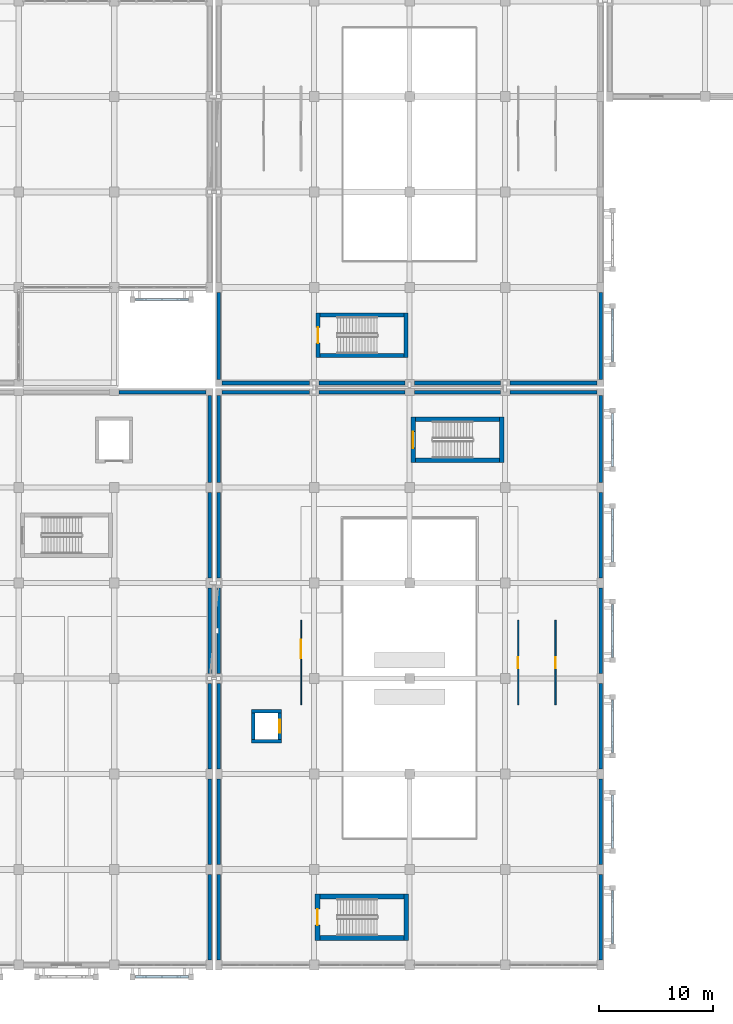
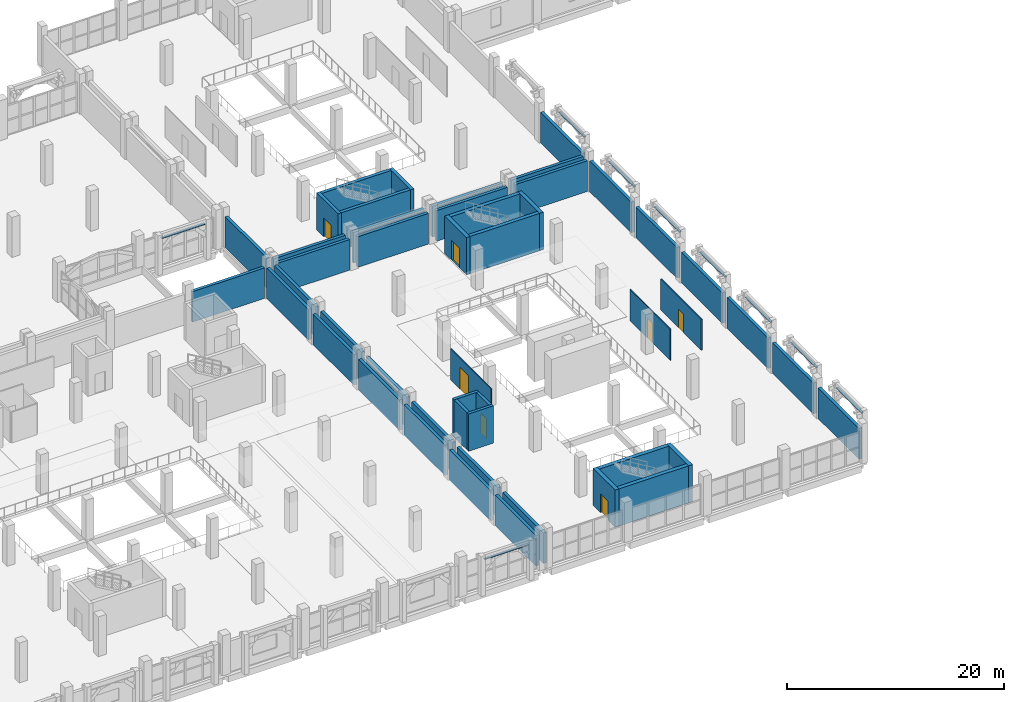
# One storey, part 114 of 137: 57 walls, 7 doors, 7 openings.
"""IFC4 building model written with IfcOpenShell, lengths in metres."""

import ifcopenshell
import ifcopenshell.guid

model = None  # the IFC model being written
_history = None  # IfcOwnerHistory: only IFC2X3 demands one
_inside = {}  # id of a spatial element -> (the spatial element, [elements in it])
_under = {}  # id of a project, library or spatial element -> (it, [spatial elements below it])
_declared = {}  # id of a project -> (the project, [libraries it declares])
_typed = {}  # id of a type object -> (the type object, [elements of that type])
_made_of = {}  # id of a material, layer set ... -> (it, [elements and type objects made of it])


def new_model(schema):
    """Start an empty IFC model of exactly this schema.

    Asked for "IFC4X3", IfcOpenShell would pick the latest addendum, in which some entities
    have other attributes; the version numbers below select the first issue.
    IFC2X3 requires an IfcOwnerHistory on every rooted entity: one is made here for all.
    """
    global model, _history
    if schema == "IFC4X3":
        model = ifcopenshell.file(schema_version=(4, 3, 0, 0))
    else:
        model = ifcopenshell.file(schema=schema)
    _inside.clear()
    _under.clear()
    _declared.clear()
    _typed.clear()
    _made_of.clear()
    _history = None
    if model.schema == "IFC2X3":
        org = make("IfcOrganization", Name="unknown")
        user = make(
            "IfcPersonAndOrganization",
            ThePerson=make("IfcPerson", FamilyName="unknown"),
            TheOrganization=org,
        )
        app = make(
            "IfcApplication",
            ApplicationDeveloper=org,
            Version="unknown",
            ApplicationFullName="unknown",
            ApplicationIdentifier="unknown",
        )
        _history = make(
            "IfcOwnerHistory",
            OwningUser=user,
            OwningApplication=app,
            ChangeAction="ADDED",
            CreationDate=0,
        )
    return model


def make(cls, **values):
    """One entity of the class cls with the attributes given. An attribute that is None is left unset."""
    return model.create_entity(
        cls, **{name: value for name, value in values.items() if value is not None}
    )


def rooted(cls, **values):
    """An entity with a GlobalId (a new one), such as an element, a storey or a relation."""
    return make(cls, GlobalId=ifcopenshell.guid.new(), OwnerHistory=_history, **values)


def si_unit(unit_type, name, prefix=None):
    """IfcSIUnit, for example si_unit("LENGTHUNIT", "METRE", prefix="MILLI")."""
    return make("IfcSIUnit", UnitType=unit_type, Prefix=prefix, Name=name)


def assignment(units):
    """IfcUnitAssignment: the units of a project."""
    return None if units is None else make("IfcUnitAssignment", Units=units)


def point(xyz):
    """IfcCartesianPoint."""
    return None if xyz is None else make("IfcCartesianPoint", Coordinates=xyz)


def direction(xyz):
    """IfcDirection."""
    return None if xyz is None else make("IfcDirection", DirectionRatios=xyz)


def frame(location, z_axis=None, x_axis=None):
    """IfcAxis2Placement3D, a coordinate frame: its origin and axes. An axis left out is left unset."""
    return make(
        "IfcAxis2Placement3D",
        Location=point(location),
        Axis=direction(z_axis),
        RefDirection=direction(x_axis),
    )


def frame_2d(location, x_axis=None):
    """IfcAxis2Placement2D, a coordinate frame in the plane: its origin and x axis."""
    return make(
        "IfcAxis2Placement2D", Location=point(location), RefDirection=direction(x_axis)
    )


def origin():
    """The frame at (0, 0, 0) with its axes left unset."""
    return frame((0.0, 0.0, 0.0))


def place(relative_to, where):
    """IfcLocalPlacement: puts the frame where relative to a parent placement (None: the world)."""
    return make(
        "IfcLocalPlacement", PlacementRelTo=relative_to, RelativePlacement=where
    )


def context(
    kind, dimensions, precision=None, world=None, true_north=None, identifier=None
):
    """IfcGeometricRepresentationContext, for example the 3D "Model" context."""
    return make(
        "IfcGeometricRepresentationContext",
        ContextIdentifier=identifier,
        ContextType=kind,
        CoordinateSpaceDimension=dimensions,
        Precision=precision,
        WorldCoordinateSystem=world,
        TrueNorth=true_north,
    )


def subcontext(parent, identifier, kind, view, scale=None):
    """IfcGeometricRepresentationSubContext, for example "Body" below "Model"."""
    return make(
        "IfcGeometricRepresentationSubContext",
        ContextIdentifier=identifier,
        ContextType=kind,
        ParentContext=parent,
        TargetScale=scale,
        TargetView=view,
    )


def project(units=None, contexts=None):
    """IfcProject with its units and contexts."""
    return rooted(
        "IfcProject",
        Name="project",
        RepresentationContexts=contexts,
        UnitsInContext=assignment(units),
    )


def spatial(cls, under=None, at=None, **own):
    """A site, building, storey or space (cls), placed at a placement, below another one or the project."""
    s = rooted(cls, ObjectPlacement=at, **own)
    if under is not None:
        _under.setdefault(under.id(), (under, []))[1].append(s)
    return s


def profile(cls, at=None, kind="AREA", **sizes):
    """A parametric profile (cls). Its sizes go by their IFC names, for example OverallWidth=200.0."""
    return make(cls, ProfileType=kind, Position=at, **sizes)


def rectangle(**sizes):
    """IfcRectangleProfileDef."""
    return profile("IfcRectangleProfileDef", **sizes)


def extrude(swept, where, along, depth):
    """IfcExtrudedAreaSolid: the profile swept, set in the frame where, extruded along a direction by depth."""
    return make(
        "IfcExtrudedAreaSolid",
        SweptArea=swept,
        Position=where,
        ExtrudedDirection=direction(along),
        Depth=depth,
    )


def shape(context_of_items, identifier, shape_type, items):
    """IfcShapeRepresentation: the items that make up one representation, for example the "Body"."""
    return make(
        "IfcShapeRepresentation",
        ContextOfItems=context_of_items,
        RepresentationIdentifier=identifier,
        RepresentationType=shape_type,
        Items=items,
    )


def material(Name=None, Category=None):
    """IfcMaterial."""
    return make("IfcMaterial", Name=Name, Category=Category)


def layer(
    of_material, thickness, ventilated=None, Name=None, Category=None, Priority=None
):
    """IfcMaterialLayer: one layer of a wall or slab, of a material (None: an air gap)."""
    return make(
        "IfcMaterialLayer",
        Material=of_material,
        LayerThickness=thickness,
        IsVentilated=ventilated,
        Name=Name,
        Category=Category,
        Priority=Priority,
    )


def layer_set(layers, Name=None):
    """IfcMaterialLayerSet."""
    return make("IfcMaterialLayerSet", MaterialLayers=layers, LayerSetName=Name)


def made_of(thing, what):
    """Note that an element or type object is made of a material, layer set ...; save() writes the relation."""
    if what is not None:
        _made_of.setdefault(what.id(), (what, []))[1].append(thing)
    return thing


def type_object(cls, material=None, **own):
    """A type object (cls), such as IfcWallType, which elements share."""
    return made_of(rooted(cls, **own), material)


def element(
    cls,
    number,
    at=None,
    inside=None,
    cuts=None,
    type_object=None,
    material=None,
    context=None,
    identifier="Body",
    shape_type=None,
    held_by="IfcProductDefinitionShape",
    body=None,
    shapes=None,
    **own,
):
    """One element of the class cls, such as IfcWall. Its Tag is "e" and its number.

    at: its placement. inside: the storey or other place that contains it. cuts: it is an
    opening in that element (IfcRelVoidsElement). A single representation is given by context,
    identifier, shape_type and body (its items); several are given by shapes. held_by: the class
    of the entity that holds the representations. save() writes the other relations.
    """
    e = rooted(cls, Tag="e%d" % number, ObjectPlacement=at, **own)
    if body is not None:
        shapes = [shape(context, identifier, shape_type, body)]
    if shapes is not None:
        e.Representation = make(held_by, Representations=shapes)
    if inside is not None:
        _inside.setdefault(inside.id(), (inside, []))[1].append(e)
    if cuts is not None:
        rooted(
            "IfcRelVoidsElement", RelatingBuildingElement=cuts, RelatedOpeningElement=e
        )
    if type_object is not None:
        _typed.setdefault(type_object.id(), (type_object, []))[1].append(e)
    return made_of(e, material)


def fill(opening, filler):
    """IfcRelFillsElement: the door or window that sits in an opening."""
    return rooted(
        "IfcRelFillsElement",
        RelatingOpeningElement=opening,
        RelatedBuildingElement=filler,
    )


def aggregate(whole, parts):
    """IfcRelAggregates: a whole, such as a stair, and the parts it consists of."""
    return rooted("IfcRelAggregates", RelatingObject=whole, RelatedObjects=parts)


def save(model, path):
    """Write the relations noted so far, then the file.

    IfcRelAggregates (storeys below a building ...), IfcRelContainedInSpatialStructure (elements
    in a storey), IfcRelDefinesByType, IfcRelAssociatesMaterial and IfcRelDeclares: one each for
    every whole, place, type object, material and project.
    """
    for whole, parts in _under.values():
        aggregate(whole, parts)
    for where, things in _inside.values():
        rooted(
            "IfcRelContainedInSpatialStructure",
            RelatedElements=things,
            RelatingStructure=where,
        )
    for kind, things in _typed.values():
        rooted("IfcRelDefinesByType", RelatedObjects=things, RelatingType=kind)
    for what, things in _made_of.values():
        rooted("IfcRelAssociatesMaterial", RelatedObjects=things, RelatingMaterial=what)
    for by, libraries in _declared.values():
        rooted("IfcRelDeclares", RelatingContext=by, RelatedDefinitions=libraries)
    model.write(path)


model = new_model("IFC4")

# Units and contexts
model_context = context("Model", 3, precision=1e-05, world=origin(), true_north=direction((0.0, 1.0)))
body_context = subcontext(model_context, "Body", "Model", "MODEL_VIEW")
ifc_project = project(units=[si_unit("LENGTHUNIT", "METRE"), si_unit("AREAUNIT", "SQUARE_METRE"), si_unit("VOLUMEUNIT", "CUBIC_METRE"), si_unit("PLANEANGLEUNIT", "RADIAN"), si_unit("MASSUNIT", "GRAM", prefix="KILO")], contexts=[model_context])

# Site, building, storey
site_placement = place(None, origin())
site = spatial("IfcSite", under=ifc_project, at=site_placement, CompositionType="ELEMENT")
building_placement = place(site_placement, origin())
building = spatial("IfcBuilding", under=site, at=building_placement, Name="Xazarin Passage Department Store", CompositionType="ELEMENT")
storey_placement = place(building_placement, frame((0.0, 0.0, 5.39990234375)))
storey = spatial("IfcBuildingStorey", under=building, at=storey_placement, Name="L01", CompositionType="ELEMENT", Elevation=5.39990234375)

# Walls
ifc_material_1 = material(Name="Buff Baku clay brick", Category="masonry")
ifc_layer_1 = layer(ifc_material_1, 0.320068359375)
ifc_layer_set_1 = layer_set([ifc_layer_1], Name="Buff Baku clay brick")
wall_type_1 = type_object("IfcWallType", Name="ARC-W-EXT320", PredefinedType="SOLIDWALL", material=ifc_layer_set_1)
wall_1_placement = place(storey_placement, frame((68.300048828125, 50.39990234375, 0.0), z_axis=(0.0, 0.0, 1.0), x_axis=(1.0, 0.0, 0.0)))
element("IfcWall", 1, at=wall_1_placement, inside=storey, type_object=wall_type_1, Name="L01 V2S Exterior Wall 106", PredefinedType="SOLIDWALL", context=body_context, shape_type="SweptSolid", body=[
    extrude(rectangle(XDim=7.675048828125, YDim=0.320068359375, at=frame_2d((3.83740234375, 0.0))), origin(), (0.0, 0.0, 1.0), 3.4501953125),
])
wall_2_placement = place(storey_placement, frame((76.824951171875, 50.39990234375, 0.0), z_axis=(0.0, 0.0, 1.0), x_axis=(1.0, 0.0, 0.0)))
element("IfcWall", 2, at=wall_2_placement, inside=storey, type_object=wall_type_1, Name="L01 V2S Exterior Wall 107", PredefinedType="SOLIDWALL", context=body_context, shape_type="SweptSolid", body=[
    extrude(rectangle(XDim=7.550048828125, YDim=0.320068359375, at=frame_2d((3.77490234375, 0.0))), origin(), (0.0, 0.0, 1.0), 3.4501953125),
])
wall_3_placement = place(storey_placement, frame((85.22509765625, 50.39990234375, 0.0), z_axis=(0.0, 0.0, 1.0), x_axis=(1.0, 0.0, 0.0)))
element("IfcWall", 3, at=wall_3_placement, inside=storey, type_object=wall_type_1, Name="L01 V2S Exterior Wall 108", PredefinedType="SOLIDWALL", context=body_context, shape_type="SweptSolid", body=[
    extrude(rectangle(XDim=7.5498046875, YDim=0.320068359375, at=frame_2d((3.77490234375, 0.0))), origin(), (0.0, 0.0, 1.0), 3.4501953125),
])
wall_4_placement = place(storey_placement, frame((93.625, 50.39990234375, 0.0), z_axis=(0.0, 0.0, 1.0), x_axis=(1.0, 0.0, 0.0)))
element("IfcWall", 4, at=wall_4_placement, inside=storey, type_object=wall_type_1, Name="L01 V2S Exterior Wall 109", PredefinedType="SOLIDWALL", context=body_context, shape_type="SweptSolid", body=[
    extrude(rectangle(XDim=7.675048828125, YDim=0.320068359375, at=frame_2d((3.83740234375, 0.0))), origin(), (0.0, 0.0, 1.0), 3.4501953125),
])
for number, where, z_axis, x_axis, name in (
    (5, (68.0, 0.425048828125, 0.0), (0.0, 0.0, 1.0), (0.0, 1.0, 0.0), "L01 V2S Exterior Wall 110"),
    (6, (68.0, 8.824951171875, 0.0), (0.0, 0.0, 1.0), (0.0, 1.0, 0.0), "L01 V2S Exterior Wall 111"),
):
    element("IfcWall", number, at=place(storey_placement, frame(where, z_axis=z_axis, x_axis=x_axis)), inside=storey, type_object=wall_type_1, Name=name, PredefinedType="SOLIDWALL", context=body_context, shape_type="SweptSolid", body=[
        extrude(rectangle(XDim=7.550048828125, YDim=0.320068359375, at=frame_2d((3.77490234375, 0.0))), origin(), (0.0, 0.0, 1.0), 3.4501953125),
    ])
wall_5_placement = place(storey_placement, frame((68.0, 17.22509765625, 0.0), z_axis=(0.0, 0.0, 1.0), x_axis=(0.0, 1.0, 0.0)))
element("IfcWall", 7, at=wall_5_placement, inside=storey, type_object=wall_type_1, Name="L01 V2S Exterior Wall 112", PredefinedType="SOLIDWALL", context=body_context, shape_type="SweptSolid", body=[
    extrude(rectangle(XDim=7.5498046875, YDim=0.320068359375, at=frame_2d((3.77490234375, 0.0))), origin(), (0.0, 0.0, 1.0), 3.4501953125),
])
for number, where, z_axis, x_axis, name in (
    (8, (68.0, 25.625, 0.0), (0.0, 0.0, 1.0), (0.0, 1.0, 0.0), "L01 V2S Exterior Wall 113"),
    (9, (68.0, 34.02490234375, 0.0), (0.0, 0.0, 1.0), (0.0, 1.0, 0.0), "L01 V2S Exterior Wall 114"),
):
    element("IfcWall", number, at=place(storey_placement, frame(where, z_axis=z_axis, x_axis=x_axis)), inside=storey, type_object=wall_type_1, Name=name, PredefinedType="SOLIDWALL", context=body_context, shape_type="SweptSolid", body=[
        extrude(rectangle(XDim=7.550048828125, YDim=0.320068359375, at=frame_2d((3.77490234375, 0.0))), origin(), (0.0, 0.0, 1.0), 3.4501953125),
    ])
wall_6_placement = place(storey_placement, frame((68.0, 42.425048828125, 0.0), z_axis=(0.0, 0.0, 1.0), x_axis=(0.0, 1.0, 0.0)))
element("IfcWall", 10, at=wall_6_placement, inside=storey, type_object=wall_type_1, Name="L01 V2S Exterior Wall 115", PredefinedType="SOLIDWALL", context=body_context, shape_type="SweptSolid", body=[
    extrude(rectangle(XDim=7.675048828125, YDim=0.320068359375, at=frame_2d((3.83740234375, 0.0))), origin(), (0.0, 0.0, 1.0), 3.4501953125),
])
for number, where, z_axis, x_axis, name in (
    (11, (101.60009765625, 0.425048828125, 0.0), (0.0, 0.0, 1.0), (0.0, 1.0, 0.0), "L01 V2S Exterior Wall 116"),
    (12, (101.60009765625, 8.824951171875, 0.0), (0.0, 0.0, 1.0), (0.0, 1.0, 0.0), "L01 V2S Exterior Wall 117"),
):
    element("IfcWall", number, at=place(storey_placement, frame(where, z_axis=z_axis, x_axis=x_axis)), inside=storey, type_object=wall_type_1, Name=name, PredefinedType="SOLIDWALL", context=body_context, shape_type="SweptSolid", body=[
        extrude(rectangle(XDim=7.550048828125, YDim=0.320068359375, at=frame_2d((3.77490234375, 0.0))), origin(), (0.0, 0.0, 1.0), 3.4501953125),
    ])
wall_7_placement = place(storey_placement, frame((101.60009765625, 17.22509765625, 0.0), z_axis=(0.0, 0.0, 1.0), x_axis=(0.0, 1.0, 0.0)))
element("IfcWall", 13, at=wall_7_placement, inside=storey, type_object=wall_type_1, Name="L01 V2S Exterior Wall 118", PredefinedType="SOLIDWALL", context=body_context, shape_type="SweptSolid", body=[
    extrude(rectangle(XDim=7.5498046875, YDim=0.320068359375, at=frame_2d((3.77490234375, 0.0))), origin(), (0.0, 0.0, 1.0), 3.4501953125),
])
for number, where, z_axis, x_axis, name in (
    (14, (101.60009765625, 25.625, 0.0), (0.0, 0.0, 1.0), (0.0, 1.0, 0.0), "L01 V2S Exterior Wall 119"),
    (15, (101.60009765625, 34.02490234375, 0.0), (0.0, 0.0, 1.0), (0.0, 1.0, 0.0), "L01 V2S Exterior Wall 120"),
):
    element("IfcWall", number, at=place(storey_placement, frame(where, z_axis=z_axis, x_axis=x_axis)), inside=storey, type_object=wall_type_1, Name=name, PredefinedType="SOLIDWALL", context=body_context, shape_type="SweptSolid", body=[
        extrude(rectangle(XDim=7.550048828125, YDim=0.320068359375, at=frame_2d((3.77490234375, 0.0))), origin(), (0.0, 0.0, 1.0), 3.4501953125),
    ])
for number, where, z_axis, x_axis, name in (
    (16, (101.60009765625, 42.425048828125, 0.0), (0.0, 0.0, 1.0), (0.0, 1.0, 0.0), "L01 V2S Exterior Wall 121"),
    (17, (68.300048828125, 51.199951171875, 0.0), (0.0, 0.0, 1.0), (1.0, 0.0, 0.0), "L01 V2N Exterior Wall 154"),
):
    element("IfcWall", number, at=place(storey_placement, frame(where, z_axis=z_axis, x_axis=x_axis)), inside=storey, type_object=wall_type_1, Name=name, PredefinedType="SOLIDWALL", context=body_context, shape_type="SweptSolid", body=[
        extrude(rectangle(XDim=7.675048828125, YDim=0.320068359375, at=frame_2d((3.83740234375, 0.0))), origin(), (0.0, 0.0, 1.0), 3.4501953125),
    ])
wall_8_placement = place(storey_placement, frame((76.824951171875, 51.199951171875, 0.0), z_axis=(0.0, 0.0, 1.0), x_axis=(1.0, 0.0, 0.0)))
element("IfcWall", 18, at=wall_8_placement, inside=storey, type_object=wall_type_1, Name="L01 V2N Exterior Wall 155", PredefinedType="SOLIDWALL", context=body_context, shape_type="SweptSolid", body=[
    extrude(rectangle(XDim=7.550048828125, YDim=0.320068359375, at=frame_2d((3.77490234375, 0.0))), origin(), (0.0, 0.0, 1.0), 3.4501953125),
])
wall_9_placement = place(storey_placement, frame((85.22509765625, 51.199951171875, 0.0), z_axis=(0.0, 0.0, 1.0), x_axis=(1.0, 0.0, 0.0)))
element("IfcWall", 19, at=wall_9_placement, inside=storey, type_object=wall_type_1, Name="L01 V2N Exterior Wall 156", PredefinedType="SOLIDWALL", context=body_context, shape_type="SweptSolid", body=[
    extrude(rectangle(XDim=7.5498046875, YDim=0.320068359375, at=frame_2d((3.77490234375, 0.0))), origin(), (0.0, 0.0, 1.0), 3.4501953125),
])
for number, where, z_axis, x_axis, name in (
    (20, (93.625, 51.199951171875, 0.0), (0.0, 0.0, 1.0), (1.0, 0.0, 0.0), "L01 V2N Exterior Wall 157"),
    (21, (68.0, 51.5, 0.0), (0.0, 0.0, 1.0), (0.0, 1.0, 0.0), "L01 V2N Exterior Wall 158"),
    (22, (101.60009765625, 51.5, 0.0), (0.0, 0.0, 1.0), (0.0, 1.0, 0.0), "L01 V2N Exterior Wall 163"),
):
    element("IfcWall", number, at=place(storey_placement, frame(where, z_axis=z_axis, x_axis=x_axis)), inside=storey, type_object=wall_type_1, Name=name, PredefinedType="SOLIDWALL", context=body_context, shape_type="SweptSolid", body=[
        extrude(rectangle(XDim=7.675048828125, YDim=0.320068359375, at=frame_2d((3.83740234375, 0.0))), origin(), (0.0, 0.0, 1.0), 3.4501953125),
    ])
wall_10_placement = place(storey_placement, frame((59.22509765625, 50.39990234375, 0.0), z_axis=(0.0, 0.0, 1.0), x_axis=(1.0, 0.0, 0.0)))
element("IfcWall", 23, at=wall_10_placement, inside=storey, type_object=wall_type_1, Name="L01 V3 Exterior Wall 216", PredefinedType="SOLIDWALL", context=body_context, shape_type="SweptSolid", body=[
    extrude(rectangle(XDim=7.6748046875, YDim=0.320068359375, at=frame_2d((3.83740234375, 0.0))), origin(), (0.0, 0.0, 1.0), 3.43017578125),
])
for number, where, z_axis, x_axis, name in (
    (24, (67.199951171875, 0.425048828125, 0.0), (0.0, 0.0, 1.0), (0.0, 1.0, 0.0), "L01 V3 Exterior Wall 220"),
    (25, (67.199951171875, 8.824951171875, 0.0), (0.0, 0.0, 1.0), (0.0, 1.0, 0.0), "L01 V3 Exterior Wall 221"),
):
    element("IfcWall", number, at=place(storey_placement, frame(where, z_axis=z_axis, x_axis=x_axis)), inside=storey, type_object=wall_type_1, Name=name, PredefinedType="SOLIDWALL", context=body_context, shape_type="SweptSolid", body=[
        extrude(rectangle(XDim=7.550048828125, YDim=0.320068359375, at=frame_2d((3.77490234375, 0.0))), origin(), (0.0, 0.0, 1.0), 3.43017578125),
    ])
wall_11_placement = place(storey_placement, frame((67.199951171875, 17.22509765625, 0.0), z_axis=(0.0, 0.0, 1.0), x_axis=(0.0, 1.0, 0.0)))
element("IfcWall", 26, at=wall_11_placement, inside=storey, type_object=wall_type_1, Name="L01 V3 Exterior Wall 222", PredefinedType="SOLIDWALL", context=body_context, shape_type="SweptSolid", body=[
    extrude(rectangle(XDim=7.5498046875, YDim=0.320068359375, at=frame_2d((3.77490234375, 0.0))), origin(), (0.0, 0.0, 1.0), 3.43017578125),
])
for number, where, z_axis, x_axis, name in (
    (27, (67.199951171875, 25.625, 0.0), (0.0, 0.0, 1.0), (0.0, 1.0, 0.0), "L01 V3 Exterior Wall 223"),
    (28, (67.199951171875, 34.02490234375, 0.0), (0.0, 0.0, 1.0), (0.0, 1.0, 0.0), "L01 V3 Exterior Wall 224"),
):
    element("IfcWall", number, at=place(storey_placement, frame(where, z_axis=z_axis, x_axis=x_axis)), inside=storey, type_object=wall_type_1, Name=name, PredefinedType="SOLIDWALL", context=body_context, shape_type="SweptSolid", body=[
        extrude(rectangle(XDim=7.550048828125, YDim=0.320068359375, at=frame_2d((3.77490234375, 0.0))), origin(), (0.0, 0.0, 1.0), 3.43017578125),
    ])
wall_12_placement = place(storey_placement, frame((67.199951171875, 42.425048828125, 0.0), z_axis=(0.0, 0.0, 1.0), x_axis=(0.0, 1.0, 0.0)))
element("IfcWall", 29, at=wall_12_placement, inside=storey, type_object=wall_type_1, Name="L01 V3 Exterior Wall 225", PredefinedType="SOLIDWALL", context=body_context, shape_type="SweptSolid", body=[
    extrude(rectangle(XDim=7.675048828125, YDim=0.320068359375, at=frame_2d((3.83740234375, 0.0))), origin(), (0.0, 0.0, 1.0), 3.43017578125),
])
ifc_material_2 = material(Name="Precast concrete C40/50", Category="concrete")
ifc_layer_2 = layer(ifc_material_2, 0.2099609375)
ifc_layer_set_2 = layer_set([ifc_layer_2], Name="Precast concrete C40/50")
wall_type_2 = type_object("IfcWallType", Name="ARC-W-PAR210", PredefinedType="PARAPET", material=ifc_layer_set_2)
wall_13_placement = place(storey_placement, frame((60.669921875, 58.550048828125, 3.880126953125), z_axis=(0.0, 0.0, 1.0), x_axis=(1.0, 0.0, 0.0)))
element("IfcWall", 30, at=wall_13_placement, inside=storey, type_object=wall_type_2, Name="L01 V1 Pierced-Arch Spandrel Lintel 0032", PredefinedType="PARAPET", context=body_context, shape_type="SweptSolid", body=[
    extrude(rectangle(XDim=4.66015625, YDim=0.2099609375, at=frame_2d((2.330078125, 0.0))), origin(), (0.0, 0.0, 1.0), 0.119873046875),
])
for number, where, z_axis, x_axis, name in (
    (31, (102.64990234375, 1.8701171875, 3.880126953125), (0.0, 0.0, 1.0), (0.0, 1.0, 0.0), "L01 V2S Pierced-Arch Spandrel Lintel 0085"),
    (32, (102.64990234375, 10.27001953125, 3.880126953125), (0.0, 0.0, 1.0), (0.0, 1.0, 0.0), "L01 V2S Pierced-Arch Spandrel Lintel 0088"),
):
    element("IfcWall", number, at=place(storey_placement, frame(where, z_axis=z_axis, x_axis=x_axis)), inside=storey, type_object=wall_type_2, Name=name, PredefinedType="PARAPET", context=body_context, shape_type="SweptSolid", body=[
        extrude(rectangle(XDim=4.659912109375, YDim=0.2099609375, at=frame_2d((2.330078125, 0.0))), origin(), (0.0, 0.0, 1.0), 0.119873046875),
    ])
wall_14_placement = place(storey_placement, frame((102.64990234375, 18.669921875, 3.880126953125), z_axis=(0.0, 0.0, 1.0), x_axis=(0.0, 1.0, 0.0)))
element("IfcWall", 33, at=wall_14_placement, inside=storey, type_object=wall_type_2, Name="L01 V2S Pierced-Arch Spandrel Lintel 0091", PredefinedType="PARAPET", context=body_context, shape_type="SweptSolid", body=[
    extrude(rectangle(XDim=4.66015625, YDim=0.2099609375, at=frame_2d((2.330078125, 0.0))), origin(), (0.0, 0.0, 1.0), 0.119873046875),
])
for number, where, z_axis, x_axis, name in (
    (34, (102.64990234375, 27.070068359375, 3.880126953125), (0.0, 0.0, 1.0), (0.0, 1.0, 0.0), "L01 V2S Pierced-Arch Spandrel Lintel 0094"),
    (35, (102.64990234375, 35.469970703125, 3.880126953125), (0.0, 0.0, 1.0), (0.0, 1.0, 0.0), "L01 V2S Pierced-Arch Spandrel Lintel 0097"),
    (36, (102.64990234375, 43.8701171875, 3.880126953125), (0.0, 0.0, 1.0), (0.0, 1.0, 0.0), "L01 V2S Pierced-Arch Spandrel Lintel 0100"),
    (37, (102.64990234375, 53.070068359375, 3.880126953125), (0.0, 0.0, 1.0), (0.0, 1.0, 0.0), "L01 V2N Pierced-Arch Spandrel Lintel 0103"),
):
    element("IfcWall", number, at=place(storey_placement, frame(where, z_axis=z_axis, x_axis=x_axis)), inside=storey, type_object=wall_type_2, Name=name, PredefinedType="PARAPET", context=body_context, shape_type="SweptSolid", body=[
        extrude(rectangle(XDim=4.659912109375, YDim=0.2099609375, at=frame_2d((2.330078125, 0.0))), origin(), (0.0, 0.0, 1.0), 0.119873046875),
    ])
wall_15_placement = place(storey_placement, frame((60.669921875, -1.050048828125, 3.880126953125), z_axis=(0.0, 0.0, 1.0), x_axis=(1.0, 0.0, 0.0)))
element("IfcWall", 38, at=wall_15_placement, inside=storey, type_object=wall_type_2, Name="L01 V3 Pierced-Arch Spandrel Lintel 0129", PredefinedType="PARAPET", context=body_context, shape_type="SweptSolid", body=[
    extrude(rectangle(XDim=4.66015625, YDim=0.2099609375, at=frame_2d((2.330078125, 0.0))), origin(), (0.0, 0.0, 1.0), 0.119873046875),
])

# Wall, opening, door
ifc_material_3 = material(Name="Gypsum board acoustic partition")
ifc_layer_3 = layer(ifc_material_3, 0.094970703125)
ifc_layer_set_3 = layer_set([ifc_layer_3], Name="Gypsum board acoustic partition")
wall_type_3 = type_object("IfcWallType", Name="ARC-W-PRT095", PredefinedType="PARTITIONING", material=ifc_layer_set_3)
wall_16_placement = place(storey_placement, frame((75.25, 22.8701171875, 0.0), z_axis=(0.0, 0.0, 1.0), x_axis=(0.0, 1.0, 0.0)))
wall_16 = element("IfcWall", 39, at=wall_16_placement, inside=storey, type_object=wall_type_3, Name="L01 Designer Eyewear Shop Front Wall 0106", PredefinedType="PARTITIONING", context=body_context, shape_type="SweptSolid", body=[
    extrude(rectangle(XDim=7.4599609375, YDim=0.094970703125, at=frame_2d((3.72998046875, 0.0))), origin(), (0.0, 0.0, 1.0), 3.5),
])
opening_1_placement = place(wall_16_placement, frame((4.110107421875, 0.0, 0.0)))
opening_1 = element("IfcOpeningElement", 40, at=opening_1_placement, cuts=wall_16, Name="Opening ID46", PredefinedType="OPENING", context=body_context, shape_type="SweptSolid", body=[
    extrude(rectangle(XDim=1.639892578125, YDim=2.4599609375, at=frame_2d((0.81982421875, 1.22998046875))), frame((0.0, 0.057373046875, 0.0), z_axis=(0.0, -1.0, 0.0), x_axis=(1.0, 0.0, 0.0)), (0.0, 0.0, 1.0), 0.114990234375),
])
ifc_material_4 = material(Name="Bronze anodised aluminium", Category="aluminium")
door_type_1 = type_object("IfcDoorType", Name="ARC-DR-ID46", OperationType="NOTDEFINED", PredefinedType="DOOR", material=ifc_material_4)
door_1_placement = place(opening_1_placement, origin())
door_1 = element("IfcDoor", 41, at=door_1_placement, inside=storey, type_object=door_type_1, Name="DR-INT-L01-0106", OperationType="DOUBLE_DOOR_SINGLE_SWING", OverallHeight=2.4599609375, OverallWidth=1.639892578125, PredefinedType="DOOR", context=body_context, shape_type="SweptSolid", body=[
    extrude(rectangle(XDim=1.639892578125, YDim=2.4599609375, at=frame_2d((0.81982421875, 1.22998046875))), frame((0.0, 0.02490234375, 0.0), z_axis=(0.0, -1.0, 0.0), x_axis=(1.0, 0.0, 0.0)), (0.0, 0.0, 1.0), 0.050048828125),
])
fill(opening_1, door_1)

ifc_layer_4 = layer(ifc_material_3, 0.110107421875)
ifc_layer_set_4 = layer_set([ifc_layer_4], Name="Gypsum board acoustic partition")
wall_type_4 = type_object("IfcWallType", Name="ARC-W-PRT110", PredefinedType="PARTITIONING", material=ifc_layer_set_4)
wall_17_placement = place(storey_placement, frame((94.35009765625, 22.8701171875, 0.0), z_axis=(0.0, 0.0, 1.0), x_axis=(0.0, 1.0, 0.0)))
wall_17 = element("IfcWall", 42, at=wall_17_placement, inside=storey, type_object=wall_type_4, Name="L01 Arcade Boutique Front Wall 0108", PredefinedType="PARTITIONING", context=body_context, shape_type="SweptSolid", body=[
    extrude(rectangle(XDim=7.4599609375, YDim=0.110107421875, at=frame_2d((3.72998046875, 0.0))), origin(), (0.0, 0.0, 1.0), 3.5),
])
opening_2_placement = place(wall_17_placement, frame((3.25, 0.0, 0.0)))
opening_2 = element("IfcOpeningElement", 43, at=opening_2_placement, cuts=wall_17, Name="Opening ID12", PredefinedType="OPENING", context=body_context, shape_type="SweptSolid", body=[
    extrude(rectangle(XDim=0.9599609375, YDim=2.219970703125, at=frame_2d((0.47998046875, 1.10986328125))), frame((0.0, 0.06494140625, 0.0), z_axis=(0.0, -1.0, 0.0), x_axis=(1.0, 0.0, 0.0)), (0.0, 0.0, 1.0), 0.130126953125),
])
ifc_material_5 = material(Name="Timber acoustic leaf", Category="wood")
door_type_2 = type_object("IfcDoorType", Name="ARC-DR-ID12", OperationType="NOTDEFINED", PredefinedType="DOOR", material=ifc_material_5)
door_2_placement = place(opening_2_placement, origin())
door_2 = element("IfcDoor", 44, at=door_2_placement, inside=storey, type_object=door_type_2, Name="DR-INT-L01-0108", OperationType="SINGLE_SWING_LEFT", OverallHeight=2.219970703125, OverallWidth=0.9599609375, PredefinedType="DOOR", context=body_context, shape_type="SweptSolid", body=[
    extrude(rectangle(XDim=0.9599609375, YDim=2.219970703125, at=frame_2d((0.47998046875, 1.10986328125))), frame((0.0, 0.02490234375, 0.0), z_axis=(0.0, -1.0, 0.0), x_axis=(1.0, 0.0, 0.0)), (0.0, 0.0, 1.0), 0.050048828125),
])
fill(opening_2, door_2)

ifc_layer_5 = layer(ifc_material_3, 0.125)
ifc_layer_set_5 = layer_set([ifc_layer_5], Name="Gypsum board acoustic partition")
wall_type_5 = type_object("IfcWallType", Name="ARC-W-PRT125", PredefinedType="PARTITIONING", material=ifc_layer_set_5)
wall_18_placement = place(storey_placement, frame((97.64990234375, 22.8701171875, 0.0), z_axis=(0.0, 0.0, 1.0), x_axis=(0.0, 1.0, 0.0)))
wall_18 = element("IfcWall", 45, at=wall_18_placement, inside=storey, type_object=wall_type_5, Name="L01 Arcade Boutique Front Wall 0107", PredefinedType="PARTITIONING", context=body_context, shape_type="SweptSolid", body=[
    extrude(rectangle(XDim=7.4599609375, YDim=0.125, at=frame_2d((3.72998046875, 0.0))), origin(), (0.0, 0.0, 1.0), 3.5),
])
opening_3_placement = place(wall_18_placement, frame((3.25, 0.0, 0.0)))
opening_3 = element("IfcOpeningElement", 46, at=opening_3_placement, cuts=wall_18, Name="Opening ID11", PredefinedType="OPENING", context=body_context, shape_type="SweptSolid", body=[
    extrude(rectangle(XDim=0.9599609375, YDim=2.10009765625, at=frame_2d((0.47998046875, 1.050048828125))), frame((0.0, 0.072509765625, 0.0), z_axis=(0.0, -1.0, 0.0), x_axis=(1.0, 0.0, 0.0)), (0.0, 0.0, 1.0), 0.14501953125),
])
door_type_3 = type_object("IfcDoorType", Name="ARC-DR-ID11", OperationType="NOTDEFINED", PredefinedType="DOOR", material=ifc_material_5)
door_3_placement = place(opening_3_placement, origin())
door_3 = element("IfcDoor", 47, at=door_3_placement, inside=storey, type_object=door_type_3, Name="DR-INT-L01-0107", OperationType="SINGLE_SWING_RIGHT", OverallHeight=2.10009765625, OverallWidth=0.9599609375, PredefinedType="DOOR", context=body_context, shape_type="SweptSolid", body=[
    extrude(rectangle(XDim=0.9599609375, YDim=2.10009765625, at=frame_2d((0.47998046875, 1.050048828125))), frame((0.0, 0.02490234375, 0.0), z_axis=(0.0, -1.0, 0.0), x_axis=(1.0, 0.0, 0.0)), (0.0, 0.0, 1.0), 0.050048828125),
])
fill(opening_3, door_3)

# Walls
ifc_material_6 = material(Name="Concrete C40/50", Category="concrete")
ifc_layer_6 = layer(ifc_material_6, 0.31005859375)
ifc_layer_set_6 = layer_set([ifc_layer_6], Name="Concrete C40/50")
wall_type_6 = type_object("IfcWallType", Name="STR-W-LFT310", PredefinedType="SHEAR", material=ifc_layer_set_6)
for number, where, z_axis, x_axis, name in (
    (48, (70.8701171875, 19.675048828125, 0.0), (0.0, 0.0, 1.0), (1.0, 0.0, 0.0), "L01 Lift PL3 Shaft Wall South"),
    (49, (70.8701171875, 22.324951171875, 0.0), (0.0, 0.0, 1.0), (1.0, 0.0, 0.0), "L01 Lift PL3 Shaft Wall North"),
):
    element("IfcWall", number, at=place(storey_placement, frame(where, z_axis=z_axis, x_axis=x_axis)), inside=storey, type_object=wall_type_6, Name=name, PredefinedType="SHEAR", context=body_context, shape_type="SweptSolid", body=[
        extrude(rectangle(XDim=2.659912109375, YDim=0.31005859375, at=frame_2d((1.330078125, 0.0))), origin(), (0.0, 0.0, 1.0), 4.2001953125),
    ])
wall_19_placement = place(storey_placement, frame((71.02490234375, 19.830078125, 0.0), z_axis=(0.0, 0.0, 1.0), x_axis=(0.0, 1.0, 0.0)))
element("IfcWall", 50, at=wall_19_placement, inside=storey, type_object=wall_type_6, Name="L01 Lift PL3 Shaft Wall West", PredefinedType="SHEAR", context=body_context, shape_type="SweptSolid", body=[
    extrude(rectangle(XDim=2.33984375, YDim=0.31005859375, at=frame_2d((1.169921875, 0.0))), origin(), (0.0, 0.0, 1.0), 4.2001953125),
])

# Wall, opening, door
wall_20_placement = place(storey_placement, frame((73.375, 19.830078125, 0.0), z_axis=(0.0, 0.0, 1.0), x_axis=(0.0, 1.0, 0.0)))
wall_20 = element("IfcWall", 51, at=wall_20_placement, inside=storey, type_object=wall_type_6, Name="L01 Lift PL3 Shaft Wall East", PredefinedType="SHEAR", context=body_context, shape_type="SweptSolid", body=[
    extrude(rectangle(XDim=2.33984375, YDim=0.31005859375, at=frame_2d((1.169921875, 0.0))), origin(), (0.0, 0.0, 1.0), 4.2001953125),
])
opening_4_placement = place(wall_20_placement, frame((0.6201171875, 0.0, 0.0)))
opening_4 = element("IfcOpeningElement", 52, at=opening_4_placement, cuts=wall_20, Name="Opening LD-PL3-L01", PredefinedType="OPENING", context=body_context, shape_type="SweptSolid", body=[
    extrude(rectangle(XDim=1.10009765625, YDim=2.199951171875, at=frame_2d((0.550048828125, 1.10009765625))), frame((0.0, 0.1650390625, 0.0), z_axis=(0.0, -1.0, 0.0), x_axis=(1.0, 0.0, 0.0)), (0.0, 0.0, 1.0), 0.330078125),
])
ifc_material_7 = material(Name="Steel S355", Category="steel")
door_type_4 = type_object("IfcDoorType", Name="ARC-DR-LD110", OperationType="NOTDEFINED", PredefinedType="DOOR", material=ifc_material_7)
door_4_placement = place(opening_4_placement, origin())
door_4 = element("IfcDoor", 53, at=door_4_placement, inside=storey, type_object=door_type_4, Name="DR-LD-PL3-L01", OperationType="SLIDING_TO_LEFT", OverallHeight=2.199951171875, OverallWidth=1.10009765625, PredefinedType="DOOR", context=body_context, shape_type="SweptSolid", body=[
    extrude(rectangle(XDim=1.10009765625, YDim=2.199951171875, at=frame_2d((0.550048828125, 1.10009765625))), frame((0.0, 0.02490234375, 0.0), z_axis=(0.0, -1.0, 0.0), x_axis=(1.0, 0.0, 0.0)), (0.0, 0.0, 1.0), 0.050048828125),
])
fill(opening_4, door_4)

ifc_layer_7 = layer(ifc_material_6, 0.35009765625)
ifc_layer_set_7 = layer_set([ifc_layer_7], Name="Concrete C40/50")
wall_type_7 = type_object("IfcWallType", Name="STR-W-SHR350", PredefinedType="SHEAR", material=ifc_layer_set_7)
wall_21_placement = place(storey_placement, frame((76.72509765625, 57.3701171875, 0.0), z_axis=(0.0, 0.0, 1.0), x_axis=(0.0, -1.0, 0.0)))
wall_21 = element("IfcWall", 54, at=wall_21_placement, inside=storey, type_object=wall_type_7, Name="L01 Core K6 West Shear Wall", PredefinedType="SHEAR", context=body_context, shape_type="SweptSolid", body=[
    extrude(rectangle(XDim=3.940185546875, YDim=0.35009765625, at=frame_2d((1.97021484375, 0.0))), origin(), (0.0, 0.0, 1.0), 4.2001953125),
])
opening_5_placement = place(wall_21_placement, frame((1.27001953125, 0.0, 0.0)))
opening_5 = element("IfcOpeningElement", 55, at=opening_5_placement, cuts=wall_21, Name="Opening FD2", PredefinedType="OPENING", context=body_context, shape_type="SweptSolid", body=[
    extrude(rectangle(XDim=1.39990234375, YDim=2.14990234375, at=frame_2d((0.699951171875, 1.074951171875))), frame((0.0, 0.18505859375, 0.0), z_axis=(0.0, -1.0, 0.0), x_axis=(1.0, 0.0, 0.0)), (0.0, 0.0, 1.0), 0.3701171875),
])
door_type_5 = type_object("IfcDoorType", Name="ARC-DR-STR140", OperationType="NOTDEFINED", PredefinedType="DOOR", material=ifc_material_7)
door_5_placement = place(opening_5_placement, origin())
door_5 = element("IfcDoor", 56, at=door_5_placement, inside=storey, type_object=door_type_5, Name="DR-STR-K6-L01", OperationType="SINGLE_SWING_LEFT", OverallHeight=2.14990234375, OverallWidth=1.39990234375, PredefinedType="DOOR", context=body_context, shape_type="SweptSolid", body=[
    extrude(rectangle(XDim=1.39990234375, YDim=2.14990234375, at=frame_2d((0.699951171875, 1.074951171875))), frame((0.0, 0.02490234375, 0.0), z_axis=(0.0, -1.0, 0.0), x_axis=(1.0, 0.0, 0.0)), (0.0, 0.0, 1.0), 0.050048828125),
])
fill(opening_5, door_5)

# Walls
wall_22_placement = place(storey_placement, frame((84.47509765625, 53.429931640625, 0.0), z_axis=(0.0, 0.0, 1.0), x_axis=(0.0, 1.0, 0.0)))
element("IfcWall", 57, at=wall_22_placement, inside=storey, type_object=wall_type_7, Name="L01 Core K6 East Shear Wall", PredefinedType="SHEAR", context=body_context, shape_type="SweptSolid", body=[
    extrude(rectangle(XDim=3.940185546875, YDim=0.35009765625, at=frame_2d((1.97021484375, 0.0))), origin(), (0.0, 0.0, 1.0), 4.2001953125),
])
for number, where, z_axis, x_axis, name in (
    (58, (76.89990234375, 53.60498046875, 0.0), (0.0, 0.0, 1.0), (1.0, 0.0, 0.0), "L01 Core K6 South Shear Wall"),
    (59, (76.89990234375, 57.195068359375, 0.0), (0.0, 0.0, 1.0), (1.0, 0.0, 0.0), "L01 Core K6 North Shear Wall"),
):
    element("IfcWall", number, at=place(storey_placement, frame(where, z_axis=z_axis, x_axis=x_axis)), inside=storey, type_object=wall_type_7, Name=name, PredefinedType="SHEAR", context=body_context, shape_type="SweptSolid", body=[
        extrude(rectangle(XDim=7.400146484375, YDim=0.35009765625, at=frame_2d((3.7001953125, 0.0))), origin(), (0.0, 0.0, 1.0), 4.2001953125),
    ])

# Wall, opening, door
ifc_layer_8 = layer(ifc_material_6, 0.389892578125)
ifc_layer_set_8 = layer_set([ifc_layer_8], Name="Concrete C40/50")
wall_type_8 = type_object("IfcWallType", Name="STR-W-SHR390", PredefinedType="SHEAR", material=ifc_layer_set_8)
wall_23_placement = place(storey_placement, frame((85.10498046875, 48.2099609375, 0.0), z_axis=(0.0, 0.0, 1.0), x_axis=(0.0, -1.0, 0.0)))
wall_23 = element("IfcWall", 60, at=wall_23_placement, inside=storey, type_object=wall_type_8, Name="L01 Core K5 West Shear Wall", PredefinedType="SHEAR", context=body_context, shape_type="SweptSolid", body=[
    extrude(rectangle(XDim=4.02001953125, YDim=0.389892578125, at=frame_2d((2.010009765625, 0.0))), origin(), (0.0, 0.0, 1.0), 4.2001953125),
])
opening_6_placement = place(wall_23_placement, frame((1.284912109375, 0.0, 0.0)))
opening_6 = element("IfcOpeningElement", 61, at=opening_6_placement, cuts=wall_23, Name="Opening FD1", PredefinedType="OPENING", context=body_context, shape_type="SweptSolid", body=[
    extrude(rectangle(XDim=1.449951171875, YDim=2.199951171875, at=frame_2d((0.72509765625, 1.10009765625))), frame((0.0, 0.204833984375, 0.0), z_axis=(0.0, -1.0, 0.0), x_axis=(1.0, 0.0, 0.0)), (0.0, 0.0, 1.0), 0.409912109375),
])
door_type_6 = type_object("IfcDoorType", Name="ARC-DR-STR145", OperationType="NOTDEFINED", PredefinedType="DOOR", material=ifc_material_7)
door_6_placement = place(opening_6_placement, origin())
door_6 = element("IfcDoor", 62, at=door_6_placement, inside=storey, type_object=door_type_6, Name="DR-STR-K5-L01", OperationType="SINGLE_SWING_RIGHT", OverallHeight=2.199951171875, OverallWidth=1.449951171875, PredefinedType="DOOR", context=body_context, shape_type="SweptSolid", body=[
    extrude(rectangle(XDim=1.449951171875, YDim=2.199951171875, at=frame_2d((0.72509765625, 1.10009765625))), frame((0.0, 0.02490234375, 0.0), z_axis=(0.0, -1.0, 0.0), x_axis=(1.0, 0.0, 0.0)), (0.0, 0.0, 1.0), 0.050048828125),
])
fill(opening_6, door_6)

# Walls
wall_24_placement = place(storey_placement, frame((92.89501953125, 44.18994140625, 0.0), z_axis=(0.0, 0.0, 1.0), x_axis=(0.0, 1.0, 0.0)))
element("IfcWall", 63, at=wall_24_placement, inside=storey, type_object=wall_type_8, Name="L01 Core K5 East Shear Wall", PredefinedType="SHEAR", context=body_context, shape_type="SweptSolid", body=[
    extrude(rectangle(XDim=4.02001953125, YDim=0.389892578125, at=frame_2d((2.010009765625, 0.0))), origin(), (0.0, 0.0, 1.0), 4.2001953125),
])
for number, where, z_axis, x_axis, name in (
    (64, (85.300048828125, 44.385009765625, 0.0), (0.0, 0.0, 1.0), (1.0, 0.0, 0.0), "L01 Core K5 South Shear Wall"),
    (65, (85.300048828125, 48.014892578125, 0.0), (0.0, 0.0, 1.0), (1.0, 0.0, 0.0), "L01 Core K5 North Shear Wall"),
):
    element("IfcWall", number, at=place(storey_placement, frame(where, z_axis=z_axis, x_axis=x_axis)), inside=storey, type_object=wall_type_8, Name=name, PredefinedType="SHEAR", context=body_context, shape_type="SweptSolid", body=[
        extrude(rectangle(XDim=7.39990234375, YDim=0.389892578125, at=frame_2d((3.699951171875, 0.0))), origin(), (0.0, 0.0, 1.0), 4.2001953125),
    ])

# Wall, opening, door
ifc_layer_9 = layer(ifc_material_6, 0.419921875)
ifc_layer_set_9 = layer_set([ifc_layer_9], Name="Concrete C40/50")
wall_type_9 = type_object("IfcWallType", Name="STR-W-SHR420", PredefinedType="SHEAR", material=ifc_layer_set_9)
wall_25_placement = place(storey_placement, frame((76.68994140625, 6.239990234375, 0.0), z_axis=(0.0, 0.0, 1.0), x_axis=(0.0, -1.0, 0.0)))
wall_25 = element("IfcWall", 66, at=wall_25_placement, inside=storey, type_object=wall_type_9, Name="L01 Core K4 West Shear Wall", PredefinedType="SHEAR", context=body_context, shape_type="SweptSolid", body=[
    extrude(rectangle(XDim=4.080078125, YDim=0.419921875, at=frame_2d((2.0400390625, 0.0))), origin(), (0.0, 0.0, 1.0), 4.2001953125),
])
opening_7_placement = place(wall_25_placement, frame((1.340087890625, 0.0, 0.0)))
opening_7 = element("IfcOpeningElement", 67, at=opening_7_placement, cuts=wall_25, Name="Opening FD2", PredefinedType="OPENING", context=body_context, shape_type="SweptSolid", body=[
    extrude(rectangle(XDim=1.39990234375, YDim=2.14990234375, at=frame_2d((0.699951171875, 1.074951171875))), frame((0.0, 0.219970703125, 0.0), z_axis=(0.0, -1.0, 0.0), x_axis=(1.0, 0.0, 0.0)), (0.0, 0.0, 1.0), 0.43994140625),
])
door_7_placement = place(opening_7_placement, origin())
door_7 = element("IfcDoor", 68, at=door_7_placement, inside=storey, type_object=door_type_5, Name="DR-STR-K4-L01", OperationType="SINGLE_SWING_LEFT", OverallHeight=2.14990234375, OverallWidth=1.39990234375, PredefinedType="DOOR", context=body_context, shape_type="SweptSolid", body=[
    extrude(rectangle(XDim=1.39990234375, YDim=2.14990234375, at=frame_2d((0.699951171875, 1.074951171875))), frame((0.0, 0.02490234375, 0.0), z_axis=(0.0, -1.0, 0.0), x_axis=(1.0, 0.0, 0.0)), (0.0, 0.0, 1.0), 0.050048828125),
])
fill(opening_7, door_7)

# Walls
wall_26_placement = place(storey_placement, frame((84.510009765625, 2.159912109375, 0.0), z_axis=(0.0, 0.0, 1.0), x_axis=(0.0, 1.0, 0.0)))
element("IfcWall", 69, at=wall_26_placement, inside=storey, type_object=wall_type_9, Name="L01 Core K4 East Shear Wall", PredefinedType="SHEAR", context=body_context, shape_type="SweptSolid", body=[
    extrude(rectangle(XDim=4.080078125, YDim=0.419921875, at=frame_2d((2.0400390625, 0.0))), origin(), (0.0, 0.0, 1.0), 4.2001953125),
])
for number, where, z_axis, x_axis, name in (
    (70, (76.89990234375, 2.3701171875, 0.0), (0.0, 0.0, 1.0), (1.0, 0.0, 0.0), "L01 Core K4 South Shear Wall"),
    (71, (76.89990234375, 6.030029296875, 0.0), (0.0, 0.0, 1.0), (1.0, 0.0, 0.0), "L01 Core K4 North Shear Wall"),
):
    element("IfcWall", number, at=place(storey_placement, frame(where, z_axis=z_axis, x_axis=x_axis)), inside=storey, type_object=wall_type_9, Name=name, PredefinedType="SHEAR", context=body_context, shape_type="SweptSolid", body=[
        extrude(rectangle(XDim=7.400146484375, YDim=0.419921875, at=frame_2d((3.7001953125, 0.0))), origin(), (0.0, 0.0, 1.0), 4.2001953125),
    ])

save(model, "model.ifc")
